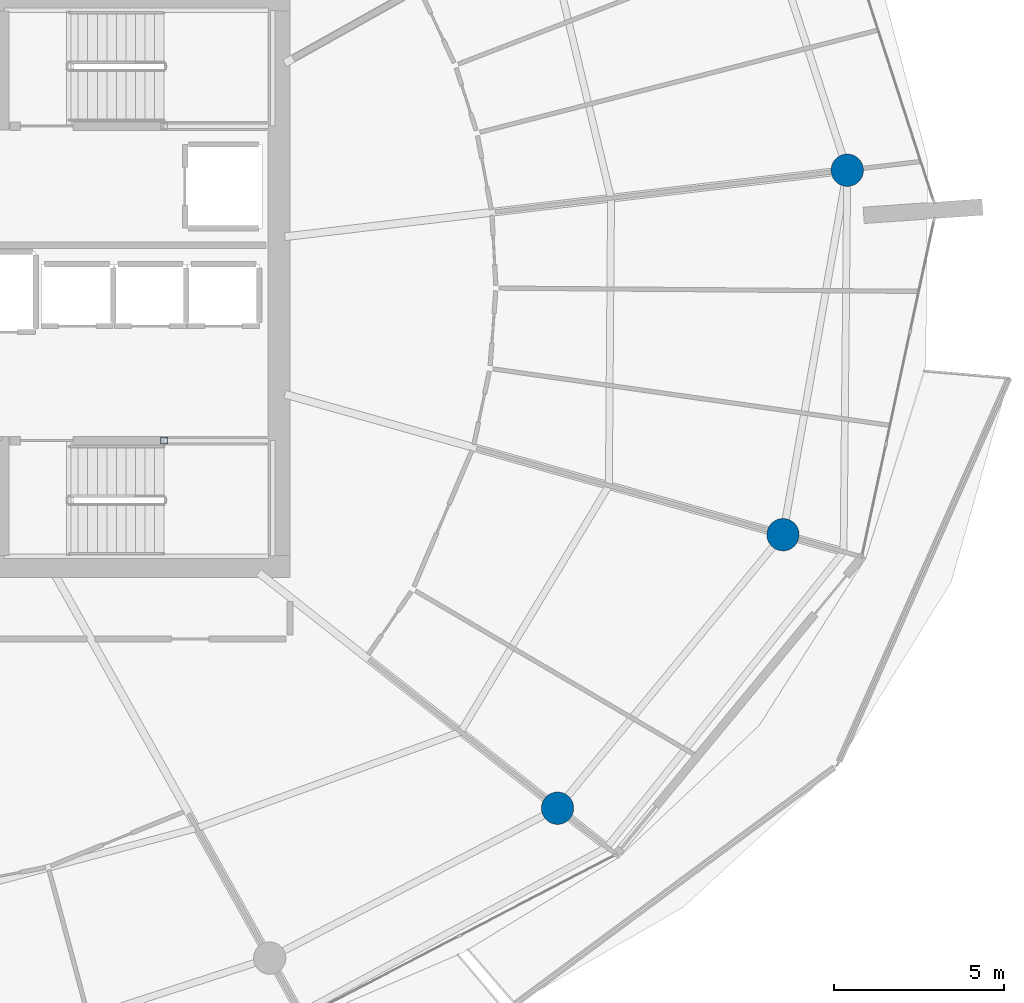
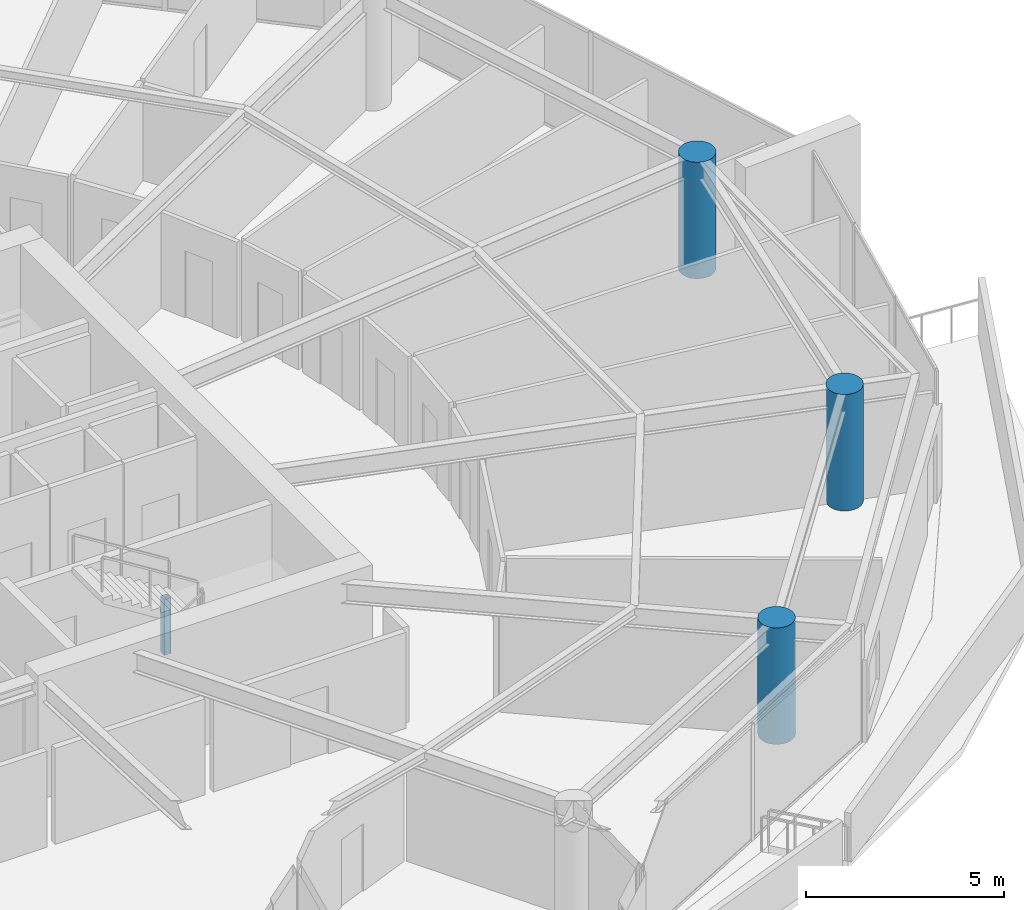
# One storey, part 3 of 31: 4 columns.
"""IFC4 building model written with IfcOpenShell, lengths in metres."""

from ifc_helpers import new_model, si_unit, direction, frame, origin, origin_2d, place, context, subcontext, project, spatial, hollow_rectangle, circle, extrude, material, material_profile, profile_set, type_object, element, save


model = new_model("IFC4")

# Units and contexts
model_context = context("Model", 3, precision=1e-05, world=origin(), true_north=direction((0.0, 1.0)))
body_context = subcontext(model_context, "Body", "Model", "MODEL_VIEW")
ifc_project = project(units=[si_unit("LENGTHUNIT", "METRE"), si_unit("AREAUNIT", "SQUARE_METRE"), si_unit("VOLUMEUNIT", "CUBIC_METRE"), si_unit("PLANEANGLEUNIT", "RADIAN"), si_unit("MASSUNIT", "GRAM", prefix="KILO")], contexts=[model_context])

# Site, building, storey
site_placement = place(None, origin())
site = spatial("IfcSite", under=ifc_project, at=site_placement, CompositionType="ELEMENT")
building_placement = place(site_placement, origin())
building = spatial("IfcBuilding", under=site, at=building_placement, Name="Kazma Halo Residences", CompositionType="ELEMENT")
storey_placement = place(building_placement, frame((0.0, 0.0, 248.25)))
storey = spatial("IfcBuildingStorey", under=building, at=storey_placement, Name="L62", CompositionType="ELEMENT", Elevation=248.25)

# Columns
ifc_material_1 = material(Name="Steel S355", Category="steel")
ifc_material_profile_1 = material_profile(ifc_material_1, hollow_rectangle(XDim=0.199951171875, YDim=0.199951171875, WallThickness=0.010009765625, InnerFilletRadius=0.010009765625, OuterFilletRadius=0.02001953125, at=origin_2d()), Name="SHS200x200x10")
ifc_profile_set_1 = profile_set([ifc_material_profile_1], Name="Steel S355")
column_type_1 = type_object("IfcColumnType", Name="COL-LP-SHS200", PredefinedType="COLUMN", material=ifc_profile_set_1)
column_placement = place(storey_placement, frame((56.0, 37.3798828125, 0.0), z_axis=(0.0, 0.0, 1.0), x_axis=(1.0, 0.0, 0.0)))
element("IfcColumn", 1, at=column_placement, inside=storey, type_object=column_type_1, Name="L62 ST-03 landing pilaster 1", PredefinedType="COLUMN", context=body_context, shape_type="SweptSolid", body=[
    extrude(hollow_rectangle(XDim=0.199951171875, YDim=0.199951171875, WallThickness=0.010009765625, InnerFilletRadius=0.010009765625, OuterFilletRadius=0.02001953125, at=origin_2d()), origin(), (0.0, 0.0, 1.0), 1.719970703125),
])
ifc_material_2 = material(Name="Concrete C60/75", Category="concrete")
ifc_material_profile_2 = material_profile(ifc_material_2, circle(Radius=0.47509765625, at=origin_2d()), Name="CIRC950")
ifc_profile_set_2 = profile_set([ifc_material_profile_2], Name="Concrete C60/75")
column_type_2 = type_object("IfcColumnType", Name="COL-PERIM-950", PredefinedType="COLUMN", material=ifc_profile_set_2)
for number, where, z_axis, x_axis, name in (
    (2, (67.566162109375, 26.5751953125, 0.0), (0.0, 0.0, 1.0), (1.0, 0.0, 0.0), "L62 perimeter ring column P14"),
    (3, (74.19091796875, 34.61328125, 0.0), (0.0, 0.0, 1.0), (1.0, 0.0, 0.0), "L62 perimeter ring column P15"),
    (4, (76.07958984375, 45.323486328125, 0.0), (0.0, 0.0, 1.0), (1.0, 0.0, 0.0), "L62 perimeter ring column P16"),
):
    element("IfcColumn", number, at=place(storey_placement, frame(where, z_axis=z_axis, x_axis=x_axis)), inside=storey, type_object=column_type_2, Name=name, PredefinedType="COLUMN", context=body_context, shape_type="SweptSolid", body=[
        extrude(circle(Radius=0.47509765625, at=origin_2d()), origin(), (0.0, 0.0, 1.0), 3.590087890625),
    ])

save(model, "model.ifc")
